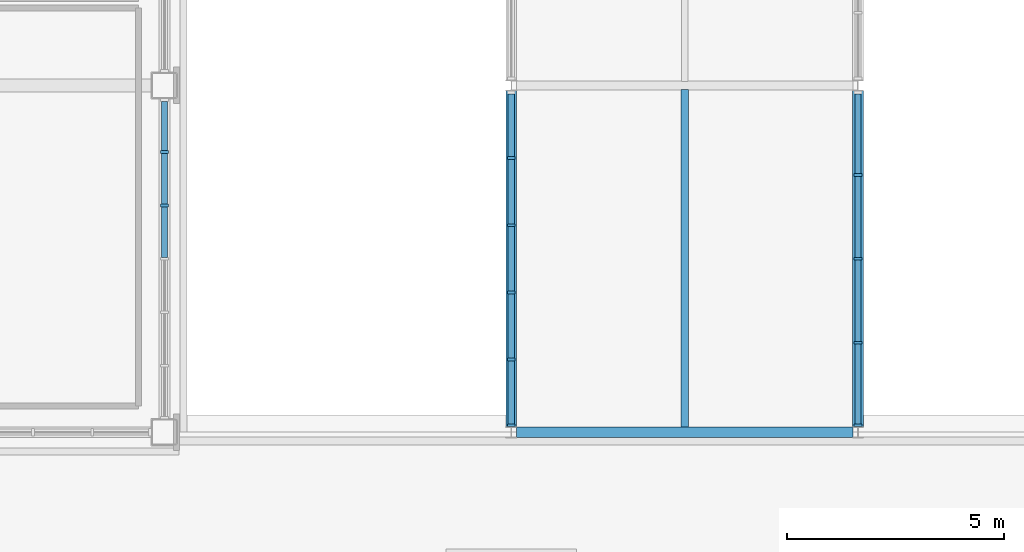
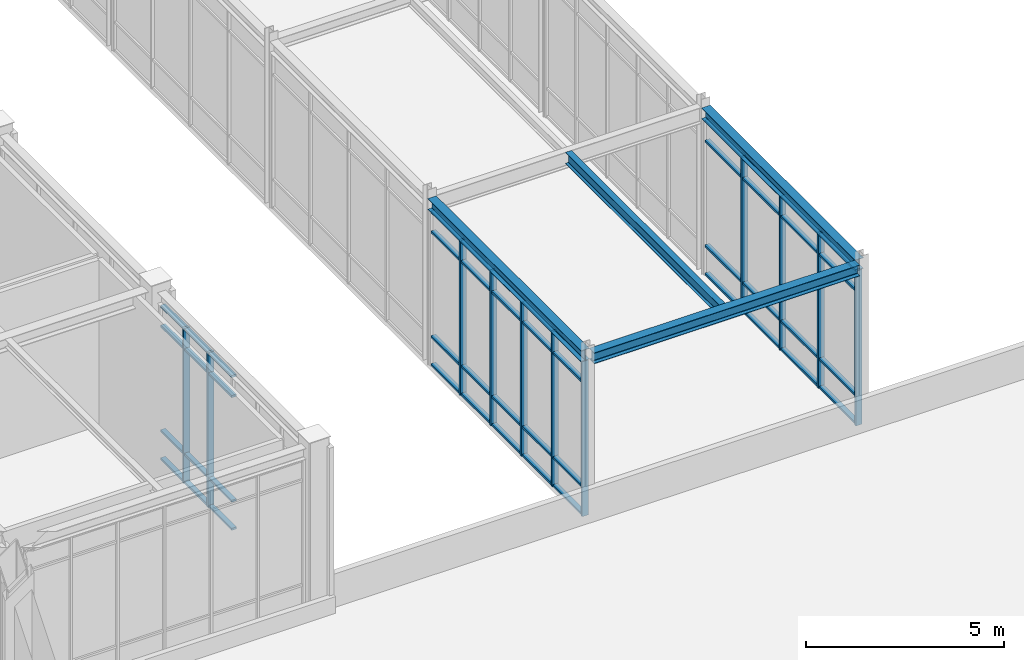
# One storey, part 25 of 108: 59 members, 4 beams, 3 elements without a shape of their own.
"""IFC4 building model written with IfcOpenShell, lengths in metres."""

from ifc_helpers import new_model, si_unit, direction, frame, origin, origin_2d, place, context, subcontext, project, spatial, rectangle, i_section, extrude, material, material_profile, profile_set, type_object, element, aggregate, save


model = new_model("IFC4")

# Units and contexts
model_context = context("Model", 3, precision=1e-05, world=origin(), true_north=direction((0.0, 1.0)))
body_context = subcontext(model_context, "Body", "Model", "MODEL_VIEW")
ifc_project = project(units=[si_unit("LENGTHUNIT", "METRE"), si_unit("AREAUNIT", "SQUARE_METRE"), si_unit("VOLUMEUNIT", "CUBIC_METRE"), si_unit("PLANEANGLEUNIT", "RADIAN"), si_unit("MASSUNIT", "GRAM", prefix="KILO")], contexts=[model_context])

# Site, building, storey
site_placement = place(None, origin())
site = spatial("IfcSite", under=ifc_project, at=site_placement, CompositionType="ELEMENT")
building_placement = place(site_placement, origin())
building = spatial("IfcBuilding", under=site, at=building_placement, Name="Zhaolan Boulevard Law Courts", CompositionType="ELEMENT")
storey_placement = place(building_placement, frame((0.0, 0.0, 10.800048828125)))
storey = spatial("IfcBuildingStorey", under=building, at=storey_placement, Name="L02", CompositionType="ELEMENT", Elevation=10.800048828125)

# Curtain wall, members
ifc_material_1 = material(Name="Thermally broken aluminium and low-E glazing", Category="aluminium")
curtain_wall_type_1 = type_object("IfcCurtainWallType", Name="CURTAIN WALL M20", PredefinedType="USERDEFINED", material=ifc_material_1)
curtain_wall_1_placement = place(storey_placement, origin())
curtain_wall_1 = element("IfcCurtainWall", 1, at=curtain_wall_1_placement, inside=storey, type_object=curtain_wall_type_1, Name="Curtain Wall CW-L02-092", ObjectType="CURTAIN WALL", PredefinedType="USERDEFINED")
ifc_material_2 = material(Name="Fluorocarbon-coated aluminium 6063-T6", Category="aluminium")
ifc_material_profile_1 = material_profile(ifc_material_2, rectangle(XDim=0.179931640625, YDim=0.06494140625, at=origin_2d()), Name="AL65x180")
ifc_profile_set_1 = profile_set([ifc_material_profile_1], Name="Fluorocarbon-coated aluminium 6063-T6")
member_type_1 = type_object("IfcMemberType", Name="CWMULLION 65X180", PredefinedType="MULLION", material=ifc_profile_set_1)
member_1_placement = place(storey_placement, frame((52.0, 36.32373046875, 0.0), z_axis=(0.0, 0.0, 1.0), x_axis=(1.0, 0.0, 0.0)))
member_1 = element("IfcMember", 2, at=member_1_placement, type_object=member_type_1, Name="CW-L02-092 mullion 2", PredefinedType="MULLION", context=body_context, shape_type="SweptSolid", body=[
    extrude(rectangle(XDim=0.179931640625, YDim=0.06494140625, at=origin_2d()), origin(), (0.0, 0.0, 1.0), 4.782958984375),
])
member_2_placement = place(storey_placement, frame((52.0, 34.774658203125, 0.0), z_axis=(0.0, 0.0, 1.0), x_axis=(1.0, 0.0, 0.0)))
member_2 = element("IfcMember", 3, at=member_2_placement, type_object=member_type_1, Name="CW-L02-092 mullion 3", PredefinedType="MULLION", context=body_context, shape_type="SweptSolid", body=[
    extrude(rectangle(XDim=0.179931640625, YDim=0.06494140625, at=origin_2d()), origin(), (0.0, 0.0, 1.0), 4.782958984375),
])
member_3_placement = place(storey_placement, frame((52.0, 33.225341796875, 0.0), z_axis=(0.0, 0.0, 1.0), x_axis=(1.0, 0.0, 0.0)))
member_3 = element("IfcMember", 4, at=member_3_placement, type_object=member_type_1, Name="CW-L02-092 mullion 4", PredefinedType="MULLION", context=body_context, shape_type="SweptSolid", body=[
    extrude(rectangle(XDim=0.179931640625, YDim=0.06494140625, at=origin_2d()), origin(), (0.0, 0.0, 1.0), 4.782958984375),
])
member_4_placement = place(storey_placement, frame((52.0, 31.67626953125, 0.0), z_axis=(0.0, 0.0, 1.0), x_axis=(1.0, 0.0, 0.0)))
member_4 = element("IfcMember", 5, at=member_4_placement, type_object=member_type_1, Name="CW-L02-092 mullion 5", PredefinedType="MULLION", context=body_context, shape_type="SweptSolid", body=[
    extrude(rectangle(XDim=0.179931640625, YDim=0.06494140625, at=origin_2d()), origin(), (0.0, 0.0, 1.0), 4.782958984375),
])
member_5_placement = place(storey_placement, frame((52.0, 30.159423828125, 0.0), z_axis=(0.0, 0.0, 1.0), x_axis=(1.0, 0.0, 0.0)))
member_5 = element("IfcMember", 6, at=member_5_placement, type_object=member_type_1, Name="CW-L02-092 mullion 6", PredefinedType="MULLION", context=body_context, shape_type="SweptSolid", body=[
    extrude(rectangle(XDim=0.179931640625, YDim=0.06494140625, at=origin_2d()), origin(), (0.0, 0.0, 1.0), 4.782958984375),
])

ifc_material_3 = material(Name="Thermally broken aluminium and low-E glazing", Category="aluminium")
curtain_wall_type_2 = type_object("IfcCurtainWallType", Name="CURTAIN WALL M24", PredefinedType="USERDEFINED", material=ifc_material_3)
curtain_wall_2_placement = place(storey_placement, origin())
curtain_wall_2 = element("IfcCurtainWall", 7, at=curtain_wall_2_placement, inside=storey, type_object=curtain_wall_type_2, Name="Curtain Wall CW-L02-096", ObjectType="CURTAIN WALL", PredefinedType="USERDEFINED")
member_6_placement = place(storey_placement, frame((60.0, 30.159423828125, 0.0), z_axis=(0.0, 0.0, 1.0), x_axis=(-1.0, 0.0, 0.0)))
member_6 = element("IfcMember", 8, at=member_6_placement, type_object=member_type_1, Name="CW-L02-096 mullion 1", PredefinedType="MULLION", context=body_context, shape_type="SweptSolid", body=[
    extrude(rectangle(XDim=0.179931640625, YDim=0.06494140625, at=origin_2d()), origin(), (0.0, 0.0, 1.0), 4.782958984375),
])
member_7_placement = place(storey_placement, frame((60.0, 32.0634765625, 0.0), z_axis=(0.0, 0.0, 1.0), x_axis=(-1.0, 0.0, 0.0)))
member_7 = element("IfcMember", 9, at=member_7_placement, type_object=member_type_1, Name="CW-L02-096 mullion 2", PredefinedType="MULLION", context=body_context, shape_type="SweptSolid", body=[
    extrude(rectangle(XDim=0.179931640625, YDim=0.06494140625, at=origin_2d()), origin(), (0.0, 0.0, 1.0), 4.782958984375),
])
member_8_placement = place(storey_placement, frame((60.0, 34.0, 0.0), z_axis=(0.0, 0.0, 1.0), x_axis=(-1.0, 0.0, 0.0)))
member_8 = element("IfcMember", 10, at=member_8_placement, type_object=member_type_1, Name="CW-L02-096 mullion 3", PredefinedType="MULLION", context=body_context, shape_type="SweptSolid", body=[
    extrude(rectangle(XDim=0.179931640625, YDim=0.06494140625, at=origin_2d()), origin(), (0.0, 0.0, 1.0), 4.782958984375),
])
member_9_placement = place(storey_placement, frame((60.0, 35.9365234375, 0.0), z_axis=(0.0, 0.0, 1.0), x_axis=(-1.0, 0.0, 0.0)))
member_9 = element("IfcMember", 11, at=member_9_placement, type_object=member_type_1, Name="CW-L02-096 mullion 4", PredefinedType="MULLION", context=body_context, shape_type="SweptSolid", body=[
    extrude(rectangle(XDim=0.179931640625, YDim=0.06494140625, at=origin_2d()), origin(), (0.0, 0.0, 1.0), 4.782958984375),
])

ifc_material_4 = material(Name="Thermally broken aluminium and low-E glazing", Category="aluminium")
curtain_wall_type_3 = type_object("IfcCurtainWallType", Name="CURTAIN WALL M18", PredefinedType="USERDEFINED", material=ifc_material_4)
curtain_wall_3_placement = place(storey_placement, origin())
curtain_wall_3 = element("IfcCurtainWall", 12, at=curtain_wall_3_placement, inside=storey, type_object=curtain_wall_type_3, Name="Curtain Wall CW-L02-162", ObjectType="CURTAIN WALL", PredefinedType="USERDEFINED")
member_10_placement = place(storey_placement, frame((44.0, 35.232666015625, 0.0), z_axis=(0.0, 0.0, 1.0), x_axis=(-1.0, 0.0, 0.0)))
member_10 = element("IfcMember", 13, at=member_10_placement, type_object=member_type_1, Name="CW-L02-162 mullion 5", PredefinedType="MULLION", context=body_context, shape_type="SweptSolid", body=[
    extrude(rectangle(XDim=0.179931640625, YDim=0.06494140625, at=origin_2d()), origin(), (0.0, 0.0, 1.0), 4.782958984375),
])
member_11_placement = place(storey_placement, frame((44.0, 36.46533203125, 0.0), z_axis=(0.0, 0.0, 1.0), x_axis=(-1.0, 0.0, 0.0)))
member_11 = element("IfcMember", 14, at=member_11_placement, type_object=member_type_1, Name="CW-L02-162 mullion 6", PredefinedType="MULLION", context=body_context, shape_type="SweptSolid", body=[
    extrude(rectangle(XDim=0.179931640625, YDim=0.06494140625, at=origin_2d()), origin(), (0.0, 0.0, 1.0), 4.782958984375),
])

# Member
ifc_material_5 = material(Name="Fluorocarbon-coated aluminium 6063-T6", Category="aluminium")
ifc_material_profile_2 = material_profile(ifc_material_5, rectangle(XDim=0.139892578125, YDim=0.06494140625, at=origin_2d()), Name="AL65x140")
ifc_profile_set_2 = profile_set([ifc_material_profile_2], Name="Fluorocarbon-coated aluminium 6063-T6")
member_type_2 = type_object("IfcMemberType", Name="CWTRANSOM 65X140", PredefinedType="USERDEFINED", material=ifc_profile_set_2)
member_12_placement = place(storey_placement, frame((52.0, 37.80810546875, 0.032470703125), z_axis=(0.0, -1.0, 0.0), x_axis=(1.0, 0.0, 0.0)))
member_12 = element("IfcMember", 15, at=member_12_placement, type_object=member_type_2, Name="CW-L02-092 transom 1.1", ObjectType="TRANSOM", PredefinedType="USERDEFINED", context=body_context, shape_type="SweptSolid", body=[
    extrude(rectangle(XDim=0.139892578125, YDim=0.06494140625, at=origin_2d()), origin(), (0.0, 0.0, 1.0), 1.451904296875),
])

member_13_placement = place(storey_placement, frame((52.0, 37.80810546875, 0.89990234375), z_axis=(0.0, -1.0, 0.0), x_axis=(1.0, 0.0, 0.0)))
member_13 = element("IfcMember", 16, at=member_13_placement, type_object=member_type_2, Name="CW-L02-092 transom 1.2", ObjectType="TRANSOM", PredefinedType="USERDEFINED", context=body_context, shape_type="SweptSolid", body=[
    extrude(rectangle(XDim=0.139892578125, YDim=0.06494140625, at=origin_2d()), origin(), (0.0, 0.0, 1.0), 1.451904296875),
])

member_14_placement = place(storey_placement, frame((52.0, 37.80810546875, 4.133056640625), z_axis=(0.0, -1.0, 0.0), x_axis=(1.0, 0.0, 0.0)))
member_14 = element("IfcMember", 17, at=member_14_placement, type_object=member_type_2, Name="CW-L02-092 transom 1.3", ObjectType="TRANSOM", PredefinedType="USERDEFINED", context=body_context, shape_type="SweptSolid", body=[
    extrude(rectangle(XDim=0.139892578125, YDim=0.06494140625, at=origin_2d()), origin(), (0.0, 0.0, 1.0), 1.451904296875),
])

member_15_placement = place(storey_placement, frame((52.0, 37.80810546875, 4.75048828125), z_axis=(0.0, -1.0, 0.0), x_axis=(1.0, 0.0, 0.0)))
member_15 = element("IfcMember", 18, at=member_15_placement, type_object=member_type_2, Name="CW-L02-092 transom 1.4", ObjectType="TRANSOM", PredefinedType="USERDEFINED", context=body_context, shape_type="SweptSolid", body=[
    extrude(rectangle(XDim=0.139892578125, YDim=0.06494140625, at=origin_2d()), origin(), (0.0, 0.0, 1.0), 1.451904296875),
])

member_16_placement = place(storey_placement, frame((52.0, 36.291259765625, 0.032470703125), z_axis=(0.0, -1.0, 0.0), x_axis=(1.0, 0.0, 0.0)))
member_16 = element("IfcMember", 19, at=member_16_placement, type_object=member_type_2, Name="CW-L02-092 transom 2.1", ObjectType="TRANSOM", PredefinedType="USERDEFINED", context=body_context, shape_type="SweptSolid", body=[
    extrude(rectangle(XDim=0.139892578125, YDim=0.06494140625, at=origin_2d()), origin(), (0.0, 0.0, 1.0), 1.484130859375),
])

member_17_placement = place(storey_placement, frame((52.0, 36.291259765625, 0.89990234375), z_axis=(0.0, -1.0, 0.0), x_axis=(1.0, 0.0, 0.0)))
member_17 = element("IfcMember", 20, at=member_17_placement, type_object=member_type_2, Name="CW-L02-092 transom 2.2", ObjectType="TRANSOM", PredefinedType="USERDEFINED", context=body_context, shape_type="SweptSolid", body=[
    extrude(rectangle(XDim=0.139892578125, YDim=0.06494140625, at=origin_2d()), origin(), (0.0, 0.0, 1.0), 1.484130859375),
])

member_18_placement = place(storey_placement, frame((52.0, 36.291259765625, 4.133056640625), z_axis=(0.0, -1.0, 0.0), x_axis=(1.0, 0.0, 0.0)))
member_18 = element("IfcMember", 21, at=member_18_placement, type_object=member_type_2, Name="CW-L02-092 transom 2.3", ObjectType="TRANSOM", PredefinedType="USERDEFINED", context=body_context, shape_type="SweptSolid", body=[
    extrude(rectangle(XDim=0.139892578125, YDim=0.06494140625, at=origin_2d()), origin(), (0.0, 0.0, 1.0), 1.484130859375),
])

member_19_placement = place(storey_placement, frame((52.0, 36.291259765625, 4.75048828125), z_axis=(0.0, -1.0, 0.0), x_axis=(1.0, 0.0, 0.0)))
member_19 = element("IfcMember", 22, at=member_19_placement, type_object=member_type_2, Name="CW-L02-092 transom 2.4", ObjectType="TRANSOM", PredefinedType="USERDEFINED", context=body_context, shape_type="SweptSolid", body=[
    extrude(rectangle(XDim=0.139892578125, YDim=0.06494140625, at=origin_2d()), origin(), (0.0, 0.0, 1.0), 1.484130859375),
])

member_20_placement = place(storey_placement, frame((52.0, 34.7421875, 0.032470703125), z_axis=(0.0, -1.0, 0.0), x_axis=(1.0, 0.0, 0.0)))
member_20 = element("IfcMember", 23, at=member_20_placement, type_object=member_type_2, Name="CW-L02-092 transom 3.1", ObjectType="TRANSOM", PredefinedType="USERDEFINED", context=body_context, shape_type="SweptSolid", body=[
    extrude(rectangle(XDim=0.139892578125, YDim=0.06494140625, at=origin_2d()), origin(), (0.0, 0.0, 1.0), 1.484375),
])

member_21_placement = place(storey_placement, frame((52.0, 34.7421875, 0.89990234375), z_axis=(0.0, -1.0, 0.0), x_axis=(1.0, 0.0, 0.0)))
member_21 = element("IfcMember", 24, at=member_21_placement, type_object=member_type_2, Name="CW-L02-092 transom 3.2", ObjectType="TRANSOM", PredefinedType="USERDEFINED", context=body_context, shape_type="SweptSolid", body=[
    extrude(rectangle(XDim=0.139892578125, YDim=0.06494140625, at=origin_2d()), origin(), (0.0, 0.0, 1.0), 1.484375),
])

member_22_placement = place(storey_placement, frame((52.0, 34.7421875, 4.133056640625), z_axis=(0.0, -1.0, 0.0), x_axis=(1.0, 0.0, 0.0)))
member_22 = element("IfcMember", 25, at=member_22_placement, type_object=member_type_2, Name="CW-L02-092 transom 3.3", ObjectType="TRANSOM", PredefinedType="USERDEFINED", context=body_context, shape_type="SweptSolid", body=[
    extrude(rectangle(XDim=0.139892578125, YDim=0.06494140625, at=origin_2d()), origin(), (0.0, 0.0, 1.0), 1.484375),
])

member_23_placement = place(storey_placement, frame((52.0, 34.7421875, 4.75048828125), z_axis=(0.0, -1.0, 0.0), x_axis=(1.0, 0.0, 0.0)))
member_23 = element("IfcMember", 26, at=member_23_placement, type_object=member_type_2, Name="CW-L02-092 transom 3.4", ObjectType="TRANSOM", PredefinedType="USERDEFINED", context=body_context, shape_type="SweptSolid", body=[
    extrude(rectangle(XDim=0.139892578125, YDim=0.06494140625, at=origin_2d()), origin(), (0.0, 0.0, 1.0), 1.484375),
])

member_24_placement = place(storey_placement, frame((52.0, 33.19287109375, 0.032470703125), z_axis=(0.0, -1.0, 0.0), x_axis=(1.0, 0.0, 0.0)))
member_24 = element("IfcMember", 27, at=member_24_placement, type_object=member_type_2, Name="CW-L02-092 transom 4.1", ObjectType="TRANSOM", PredefinedType="USERDEFINED", context=body_context, shape_type="SweptSolid", body=[
    extrude(rectangle(XDim=0.139892578125, YDim=0.06494140625, at=origin_2d()), origin(), (0.0, 0.0, 1.0), 1.484130859375),
])

member_25_placement = place(storey_placement, frame((52.0, 33.19287109375, 0.89990234375), z_axis=(0.0, -1.0, 0.0), x_axis=(1.0, 0.0, 0.0)))
member_25 = element("IfcMember", 28, at=member_25_placement, type_object=member_type_2, Name="CW-L02-092 transom 4.2", ObjectType="TRANSOM", PredefinedType="USERDEFINED", context=body_context, shape_type="SweptSolid", body=[
    extrude(rectangle(XDim=0.139892578125, YDim=0.06494140625, at=origin_2d()), origin(), (0.0, 0.0, 1.0), 1.484130859375),
])

member_26_placement = place(storey_placement, frame((52.0, 33.19287109375, 4.133056640625), z_axis=(0.0, -1.0, 0.0), x_axis=(1.0, 0.0, 0.0)))
member_26 = element("IfcMember", 29, at=member_26_placement, type_object=member_type_2, Name="CW-L02-092 transom 4.3", ObjectType="TRANSOM", PredefinedType="USERDEFINED", context=body_context, shape_type="SweptSolid", body=[
    extrude(rectangle(XDim=0.139892578125, YDim=0.06494140625, at=origin_2d()), origin(), (0.0, 0.0, 1.0), 1.484130859375),
])

member_27_placement = place(storey_placement, frame((52.0, 33.19287109375, 4.75048828125), z_axis=(0.0, -1.0, 0.0), x_axis=(1.0, 0.0, 0.0)))
member_27 = element("IfcMember", 30, at=member_27_placement, type_object=member_type_2, Name="CW-L02-092 transom 4.4", ObjectType="TRANSOM", PredefinedType="USERDEFINED", context=body_context, shape_type="SweptSolid", body=[
    extrude(rectangle(XDim=0.139892578125, YDim=0.06494140625, at=origin_2d()), origin(), (0.0, 0.0, 1.0), 1.484130859375),
])

member_28_placement = place(storey_placement, frame((52.0, 31.643798828125, 0.032470703125), z_axis=(0.0, -1.0, 0.0), x_axis=(1.0, 0.0, 0.0)))
member_28 = element("IfcMember", 31, at=member_28_placement, type_object=member_type_2, Name="CW-L02-092 transom 5.1", ObjectType="TRANSOM", PredefinedType="USERDEFINED", context=body_context, shape_type="SweptSolid", body=[
    extrude(rectangle(XDim=0.139892578125, YDim=0.06494140625, at=origin_2d()), origin(), (0.0, 0.0, 1.0), 1.451904296875),
])

member_29_placement = place(storey_placement, frame((52.0, 31.643798828125, 0.89990234375), z_axis=(0.0, -1.0, 0.0), x_axis=(1.0, 0.0, 0.0)))
member_29 = element("IfcMember", 32, at=member_29_placement, type_object=member_type_2, Name="CW-L02-092 transom 5.2", ObjectType="TRANSOM", PredefinedType="USERDEFINED", context=body_context, shape_type="SweptSolid", body=[
    extrude(rectangle(XDim=0.139892578125, YDim=0.06494140625, at=origin_2d()), origin(), (0.0, 0.0, 1.0), 1.451904296875),
])

member_30_placement = place(storey_placement, frame((52.0, 31.643798828125, 4.133056640625), z_axis=(0.0, -1.0, 0.0), x_axis=(1.0, 0.0, 0.0)))
member_30 = element("IfcMember", 33, at=member_30_placement, type_object=member_type_2, Name="CW-L02-092 transom 5.3", ObjectType="TRANSOM", PredefinedType="USERDEFINED", context=body_context, shape_type="SweptSolid", body=[
    extrude(rectangle(XDim=0.139892578125, YDim=0.06494140625, at=origin_2d()), origin(), (0.0, 0.0, 1.0), 1.451904296875),
])

member_31_placement = place(storey_placement, frame((52.0, 31.643798828125, 4.75048828125), z_axis=(0.0, -1.0, 0.0), x_axis=(1.0, 0.0, 0.0)))
member_31 = element("IfcMember", 34, at=member_31_placement, type_object=member_type_2, Name="CW-L02-092 transom 5.4", ObjectType="TRANSOM", PredefinedType="USERDEFINED", context=body_context, shape_type="SweptSolid", body=[
    extrude(rectangle(XDim=0.139892578125, YDim=0.06494140625, at=origin_2d()), origin(), (0.0, 0.0, 1.0), 1.451904296875),
])

aggregate(curtain_wall_1, [member_1, member_2, member_3, member_4, member_5, member_12, member_13, member_14, member_15, member_16, member_17, member_18, member_19, member_20, member_21, member_22, member_23, member_24, member_25, member_26, member_27, member_28, member_29, member_30, member_31])

member_32_placement = place(storey_placement, frame((60.0, 30.19189453125, 0.032470703125), z_axis=(0.0, 1.0, 0.0), x_axis=(-1.0, 0.0, 0.0)))
member_32 = element("IfcMember", 35, at=member_32_placement, type_object=member_type_2, Name="CW-L02-096 transom 1.1", ObjectType="TRANSOM", PredefinedType="USERDEFINED", context=body_context, shape_type="SweptSolid", body=[
    extrude(rectangle(XDim=0.139892578125, YDim=0.06494140625, at=origin_2d()), origin(), (0.0, 0.0, 1.0), 1.839111328125),
])

member_33_placement = place(storey_placement, frame((60.0, 30.19189453125, 0.89990234375), z_axis=(0.0, 1.0, 0.0), x_axis=(-1.0, 0.0, 0.0)))
member_33 = element("IfcMember", 36, at=member_33_placement, type_object=member_type_2, Name="CW-L02-096 transom 1.2", ObjectType="TRANSOM", PredefinedType="USERDEFINED", context=body_context, shape_type="SweptSolid", body=[
    extrude(rectangle(XDim=0.139892578125, YDim=0.06494140625, at=origin_2d()), origin(), (0.0, 0.0, 1.0), 1.839111328125),
])

member_34_placement = place(storey_placement, frame((60.0, 30.19189453125, 4.133056640625), z_axis=(0.0, 1.0, 0.0), x_axis=(-1.0, 0.0, 0.0)))
member_34 = element("IfcMember", 37, at=member_34_placement, type_object=member_type_2, Name="CW-L02-096 transom 1.3", ObjectType="TRANSOM", PredefinedType="USERDEFINED", context=body_context, shape_type="SweptSolid", body=[
    extrude(rectangle(XDim=0.139892578125, YDim=0.06494140625, at=origin_2d()), origin(), (0.0, 0.0, 1.0), 1.839111328125),
])

member_35_placement = place(storey_placement, frame((60.0, 30.19189453125, 4.75048828125), z_axis=(0.0, 1.0, 0.0), x_axis=(-1.0, 0.0, 0.0)))
member_35 = element("IfcMember", 38, at=member_35_placement, type_object=member_type_2, Name="CW-L02-096 transom 1.4", ObjectType="TRANSOM", PredefinedType="USERDEFINED", context=body_context, shape_type="SweptSolid", body=[
    extrude(rectangle(XDim=0.139892578125, YDim=0.06494140625, at=origin_2d()), origin(), (0.0, 0.0, 1.0), 1.839111328125),
])

member_36_placement = place(storey_placement, frame((60.0, 32.095947265625, 0.032470703125), z_axis=(0.0, 1.0, 0.0), x_axis=(-1.0, 0.0, 0.0)))
member_36 = element("IfcMember", 39, at=member_36_placement, type_object=member_type_2, Name="CW-L02-096 transom 2.1", ObjectType="TRANSOM", PredefinedType="USERDEFINED", context=body_context, shape_type="SweptSolid", body=[
    extrude(rectangle(XDim=0.139892578125, YDim=0.06494140625, at=origin_2d()), origin(), (0.0, 0.0, 1.0), 1.87158203125),
])

member_37_placement = place(storey_placement, frame((60.0, 32.095947265625, 0.89990234375), z_axis=(0.0, 1.0, 0.0), x_axis=(-1.0, 0.0, 0.0)))
member_37 = element("IfcMember", 40, at=member_37_placement, type_object=member_type_2, Name="CW-L02-096 transom 2.2", ObjectType="TRANSOM", PredefinedType="USERDEFINED", context=body_context, shape_type="SweptSolid", body=[
    extrude(rectangle(XDim=0.139892578125, YDim=0.06494140625, at=origin_2d()), origin(), (0.0, 0.0, 1.0), 1.87158203125),
])

member_38_placement = place(storey_placement, frame((60.0, 32.095947265625, 4.133056640625), z_axis=(0.0, 1.0, 0.0), x_axis=(-1.0, 0.0, 0.0)))
member_38 = element("IfcMember", 41, at=member_38_placement, type_object=member_type_2, Name="CW-L02-096 transom 2.3", ObjectType="TRANSOM", PredefinedType="USERDEFINED", context=body_context, shape_type="SweptSolid", body=[
    extrude(rectangle(XDim=0.139892578125, YDim=0.06494140625, at=origin_2d()), origin(), (0.0, 0.0, 1.0), 1.87158203125),
])

member_39_placement = place(storey_placement, frame((60.0, 32.095947265625, 4.75048828125), z_axis=(0.0, 1.0, 0.0), x_axis=(-1.0, 0.0, 0.0)))
member_39 = element("IfcMember", 42, at=member_39_placement, type_object=member_type_2, Name="CW-L02-096 transom 2.4", ObjectType="TRANSOM", PredefinedType="USERDEFINED", context=body_context, shape_type="SweptSolid", body=[
    extrude(rectangle(XDim=0.139892578125, YDim=0.06494140625, at=origin_2d()), origin(), (0.0, 0.0, 1.0), 1.87158203125),
])

member_40_placement = place(storey_placement, frame((60.0, 34.032470703125, 0.032470703125), z_axis=(0.0, 1.0, 0.0), x_axis=(-1.0, 0.0, 0.0)))
member_40 = element("IfcMember", 43, at=member_40_placement, type_object=member_type_2, Name="CW-L02-096 transom 3.1", ObjectType="TRANSOM", PredefinedType="USERDEFINED", context=body_context, shape_type="SweptSolid", body=[
    extrude(rectangle(XDim=0.139892578125, YDim=0.06494140625, at=origin_2d()), origin(), (0.0, 0.0, 1.0), 1.87158203125),
])

member_41_placement = place(storey_placement, frame((60.0, 34.032470703125, 0.89990234375), z_axis=(0.0, 1.0, 0.0), x_axis=(-1.0, 0.0, 0.0)))
member_41 = element("IfcMember", 44, at=member_41_placement, type_object=member_type_2, Name="CW-L02-096 transom 3.2", ObjectType="TRANSOM", PredefinedType="USERDEFINED", context=body_context, shape_type="SweptSolid", body=[
    extrude(rectangle(XDim=0.139892578125, YDim=0.06494140625, at=origin_2d()), origin(), (0.0, 0.0, 1.0), 1.87158203125),
])

member_42_placement = place(storey_placement, frame((60.0, 34.032470703125, 4.133056640625), z_axis=(0.0, 1.0, 0.0), x_axis=(-1.0, 0.0, 0.0)))
member_42 = element("IfcMember", 45, at=member_42_placement, type_object=member_type_2, Name="CW-L02-096 transom 3.3", ObjectType="TRANSOM", PredefinedType="USERDEFINED", context=body_context, shape_type="SweptSolid", body=[
    extrude(rectangle(XDim=0.139892578125, YDim=0.06494140625, at=origin_2d()), origin(), (0.0, 0.0, 1.0), 1.87158203125),
])

member_43_placement = place(storey_placement, frame((60.0, 34.032470703125, 4.75048828125), z_axis=(0.0, 1.0, 0.0), x_axis=(-1.0, 0.0, 0.0)))
member_43 = element("IfcMember", 46, at=member_43_placement, type_object=member_type_2, Name="CW-L02-096 transom 3.4", ObjectType="TRANSOM", PredefinedType="USERDEFINED", context=body_context, shape_type="SweptSolid", body=[
    extrude(rectangle(XDim=0.139892578125, YDim=0.06494140625, at=origin_2d()), origin(), (0.0, 0.0, 1.0), 1.87158203125),
])

member_44_placement = place(storey_placement, frame((60.0, 35.968994140625, 0.032470703125), z_axis=(0.0, 1.0, 0.0), x_axis=(-1.0, 0.0, 0.0)))
member_44 = element("IfcMember", 47, at=member_44_placement, type_object=member_type_2, Name="CW-L02-096 transom 4.1", ObjectType="TRANSOM", PredefinedType="USERDEFINED", context=body_context, shape_type="SweptSolid", body=[
    extrude(rectangle(XDim=0.139892578125, YDim=0.06494140625, at=origin_2d()), origin(), (0.0, 0.0, 1.0), 1.839111328125),
])

member_45_placement = place(storey_placement, frame((60.0, 35.968994140625, 0.89990234375), z_axis=(0.0, 1.0, 0.0), x_axis=(-1.0, 0.0, 0.0)))
member_45 = element("IfcMember", 48, at=member_45_placement, type_object=member_type_2, Name="CW-L02-096 transom 4.2", ObjectType="TRANSOM", PredefinedType="USERDEFINED", context=body_context, shape_type="SweptSolid", body=[
    extrude(rectangle(XDim=0.139892578125, YDim=0.06494140625, at=origin_2d()), origin(), (0.0, 0.0, 1.0), 1.839111328125),
])

member_46_placement = place(storey_placement, frame((60.0, 35.968994140625, 4.133056640625), z_axis=(0.0, 1.0, 0.0), x_axis=(-1.0, 0.0, 0.0)))
member_46 = element("IfcMember", 49, at=member_46_placement, type_object=member_type_2, Name="CW-L02-096 transom 4.3", ObjectType="TRANSOM", PredefinedType="USERDEFINED", context=body_context, shape_type="SweptSolid", body=[
    extrude(rectangle(XDim=0.139892578125, YDim=0.06494140625, at=origin_2d()), origin(), (0.0, 0.0, 1.0), 1.839111328125),
])

member_47_placement = place(storey_placement, frame((60.0, 35.968994140625, 4.75048828125), z_axis=(0.0, 1.0, 0.0), x_axis=(-1.0, 0.0, 0.0)))
member_47 = element("IfcMember", 50, at=member_47_placement, type_object=member_type_2, Name="CW-L02-096 transom 4.4", ObjectType="TRANSOM", PredefinedType="USERDEFINED", context=body_context, shape_type="SweptSolid", body=[
    extrude(rectangle(XDim=0.139892578125, YDim=0.06494140625, at=origin_2d()), origin(), (0.0, 0.0, 1.0), 1.839111328125),
])

aggregate(curtain_wall_2, [member_6, member_7, member_8, member_9, member_32, member_33, member_34, member_35, member_36, member_37, member_38, member_39, member_40, member_41, member_42, member_43, member_44, member_45, member_46, member_47])

member_48_placement = place(storey_placement, frame((44.0, 34.032470703125, 0.032470703125), z_axis=(0.0, 1.0, 0.0), x_axis=(-1.0, 0.0, 0.0)))
member_48 = element("IfcMember", 51, at=member_48_placement, type_object=member_type_2, Name="CW-L02-162 transom 4.1", ObjectType="TRANSOM", PredefinedType="USERDEFINED", context=body_context, shape_type="SweptSolid", body=[
    extrude(rectangle(XDim=0.139892578125, YDim=0.06494140625, at=origin_2d()), origin(), (0.0, 0.0, 1.0), 1.167724609375),
])

member_49_placement = place(storey_placement, frame((44.0, 34.032470703125, 0.89990234375), z_axis=(0.0, 1.0, 0.0), x_axis=(-1.0, 0.0, 0.0)))
member_49 = element("IfcMember", 52, at=member_49_placement, type_object=member_type_2, Name="CW-L02-162 transom 4.2", ObjectType="TRANSOM", PredefinedType="USERDEFINED", context=body_context, shape_type="SweptSolid", body=[
    extrude(rectangle(XDim=0.139892578125, YDim=0.06494140625, at=origin_2d()), origin(), (0.0, 0.0, 1.0), 1.167724609375),
])

member_50_placement = place(storey_placement, frame((44.0, 34.032470703125, 4.133056640625), z_axis=(0.0, 1.0, 0.0), x_axis=(-1.0, 0.0, 0.0)))
member_50 = element("IfcMember", 53, at=member_50_placement, type_object=member_type_2, Name="CW-L02-162 transom 4.3", ObjectType="TRANSOM", PredefinedType="USERDEFINED", context=body_context, shape_type="SweptSolid", body=[
    extrude(rectangle(XDim=0.139892578125, YDim=0.06494140625, at=origin_2d()), origin(), (0.0, 0.0, 1.0), 1.167724609375),
])

member_51_placement = place(storey_placement, frame((44.0, 34.032470703125, 4.75048828125), z_axis=(0.0, 1.0, 0.0), x_axis=(-1.0, 0.0, 0.0)))
member_51 = element("IfcMember", 54, at=member_51_placement, type_object=member_type_2, Name="CW-L02-162 transom 4.4", ObjectType="TRANSOM", PredefinedType="USERDEFINED", context=body_context, shape_type="SweptSolid", body=[
    extrude(rectangle(XDim=0.139892578125, YDim=0.06494140625, at=origin_2d()), origin(), (0.0, 0.0, 1.0), 1.167724609375),
])

member_52_placement = place(storey_placement, frame((44.0, 35.26513671875, 0.032470703125), z_axis=(0.0, 1.0, 0.0), x_axis=(-1.0, 0.0, 0.0)))
member_52 = element("IfcMember", 55, at=member_52_placement, type_object=member_type_2, Name="CW-L02-162 transom 5.1", ObjectType="TRANSOM", PredefinedType="USERDEFINED", context=body_context, shape_type="SweptSolid", body=[
    extrude(rectangle(XDim=0.139892578125, YDim=0.06494140625, at=origin_2d()), origin(), (0.0, 0.0, 1.0), 1.167724609375),
])

member_53_placement = place(storey_placement, frame((44.0, 35.26513671875, 0.89990234375), z_axis=(0.0, 1.0, 0.0), x_axis=(-1.0, 0.0, 0.0)))
member_53 = element("IfcMember", 56, at=member_53_placement, type_object=member_type_2, Name="CW-L02-162 transom 5.2", ObjectType="TRANSOM", PredefinedType="USERDEFINED", context=body_context, shape_type="SweptSolid", body=[
    extrude(rectangle(XDim=0.139892578125, YDim=0.06494140625, at=origin_2d()), origin(), (0.0, 0.0, 1.0), 1.167724609375),
])

member_54_placement = place(storey_placement, frame((44.0, 35.26513671875, 4.133056640625), z_axis=(0.0, 1.0, 0.0), x_axis=(-1.0, 0.0, 0.0)))
member_54 = element("IfcMember", 57, at=member_54_placement, type_object=member_type_2, Name="CW-L02-162 transom 5.3", ObjectType="TRANSOM", PredefinedType="USERDEFINED", context=body_context, shape_type="SweptSolid", body=[
    extrude(rectangle(XDim=0.139892578125, YDim=0.06494140625, at=origin_2d()), origin(), (0.0, 0.0, 1.0), 1.167724609375),
])

member_55_placement = place(storey_placement, frame((44.0, 35.26513671875, 4.75048828125), z_axis=(0.0, 1.0, 0.0), x_axis=(-1.0, 0.0, 0.0)))
member_55 = element("IfcMember", 58, at=member_55_placement, type_object=member_type_2, Name="CW-L02-162 transom 5.4", ObjectType="TRANSOM", PredefinedType="USERDEFINED", context=body_context, shape_type="SweptSolid", body=[
    extrude(rectangle(XDim=0.139892578125, YDim=0.06494140625, at=origin_2d()), origin(), (0.0, 0.0, 1.0), 1.167724609375),
])

member_56_placement = place(storey_placement, frame((44.0, 36.497802734375, 0.032470703125), z_axis=(0.0, 1.0, 0.0), x_axis=(-1.0, 0.0, 0.0)))
member_56 = element("IfcMember", 59, at=member_56_placement, type_object=member_type_2, Name="CW-L02-162 transom 6.1", ObjectType="TRANSOM", PredefinedType="USERDEFINED", context=body_context, shape_type="SweptSolid", body=[
    extrude(rectangle(XDim=0.139892578125, YDim=0.06494140625, at=origin_2d()), origin(), (0.0, 0.0, 1.0), 1.13525390625),
])

member_57_placement = place(storey_placement, frame((44.0, 36.497802734375, 0.89990234375), z_axis=(0.0, 1.0, 0.0), x_axis=(-1.0, 0.0, 0.0)))
member_57 = element("IfcMember", 60, at=member_57_placement, type_object=member_type_2, Name="CW-L02-162 transom 6.2", ObjectType="TRANSOM", PredefinedType="USERDEFINED", context=body_context, shape_type="SweptSolid", body=[
    extrude(rectangle(XDim=0.139892578125, YDim=0.06494140625, at=origin_2d()), origin(), (0.0, 0.0, 1.0), 1.13525390625),
])

member_58_placement = place(storey_placement, frame((44.0, 36.497802734375, 4.133056640625), z_axis=(0.0, 1.0, 0.0), x_axis=(-1.0, 0.0, 0.0)))
member_58 = element("IfcMember", 61, at=member_58_placement, type_object=member_type_2, Name="CW-L02-162 transom 6.3", ObjectType="TRANSOM", PredefinedType="USERDEFINED", context=body_context, shape_type="SweptSolid", body=[
    extrude(rectangle(XDim=0.139892578125, YDim=0.06494140625, at=origin_2d()), origin(), (0.0, 0.0, 1.0), 1.13525390625),
])

member_59_placement = place(storey_placement, frame((44.0, 36.497802734375, 4.75048828125), z_axis=(0.0, 1.0, 0.0), x_axis=(-1.0, 0.0, 0.0)))
member_59 = element("IfcMember", 62, at=member_59_placement, type_object=member_type_2, Name="CW-L02-162 transom 6.4", ObjectType="TRANSOM", PredefinedType="USERDEFINED", context=body_context, shape_type="SweptSolid", body=[
    extrude(rectangle(XDim=0.139892578125, YDim=0.06494140625, at=origin_2d()), origin(), (0.0, 0.0, 1.0), 1.13525390625),
])

aggregate(curtain_wall_3, [member_10, member_11, member_48, member_49, member_50, member_51, member_52, member_53, member_54, member_55, member_56, member_57, member_58, member_59])

# Beams
ifc_material_6 = material(Name="Structural steel Q355B", Category="steel")
ifc_material_profile_3 = material_profile(ifc_material_6, i_section(OverallWidth=0.25, OverallDepth=0.340087890625, WebThickness=0.009033203125, FlangeThickness=0.013916015625, FilletRadius=0.01611328125, at=origin_2d()), Name="HM340x250")
ifc_profile_set_3 = profile_set([ifc_material_profile_3], Name="Structural steel Q355B")
beam_type_1 = type_object("IfcBeamType", Name="GIRDER HM340", PredefinedType="BEAM", material=ifc_profile_set_3)
for number, where, z_axis, x_axis, name in (
    (63, (52.0, 30.12109375, 4.968017578125), (0.0, 1.0, 0.0), (-1.0, 0.0, 0.0), "Beam BY-L03-7-E-F"),
    (64, (60.0, 30.12109375, 4.968017578125), (0.0, 1.0, 0.0), (-1.0, 0.0, 0.0), "Beam BY-L03-8-E-F"),
):
    element("IfcBeam", number, at=place(storey_placement, frame(where, z_axis=z_axis, x_axis=x_axis)), inside=storey, type_object=beam_type_1, Name=name, PredefinedType="BEAM", context=body_context, shape_type="SweptSolid", body=[
        extrude(i_section(OverallWidth=0.25, OverallDepth=0.340087890625, WebThickness=0.009033203125, FlangeThickness=0.013916015625, FilletRadius=0.01611328125, at=origin_2d()), origin(), (0.0, 0.0, 1.0), 7.7578125),
    ])
ifc_material_7 = material(Name="Structural steel Q355B", Category="steel")
ifc_material_profile_4 = material_profile(ifc_material_7, i_section(OverallWidth=0.175048828125, OverallDepth=0.35009765625, WebThickness=0.007080078125, FlangeThickness=0.010986328125, FilletRadius=0.012939453125, at=origin_2d()), Name="HN350x175")
ifc_profile_set_4 = profile_set([ifc_material_profile_4], Name="Structural steel Q355B")
beam_type_2 = type_object("IfcBeamType", Name="JOIST HN350", PredefinedType="JOIST", material=ifc_profile_set_4)
beam_1_placement = place(storey_placement, frame((56.0, 30.12109375, 4.962890625), z_axis=(0.0, 1.0, 0.0), x_axis=(-1.0, 0.0, 0.0)))
element("IfcBeam", 65, at=beam_1_placement, inside=storey, type_object=beam_type_2, Name="Composite Joist J-L03-7E", PredefinedType="JOIST", context=body_context, shape_type="SweptSolid", body=[
    extrude(i_section(OverallWidth=0.175048828125, OverallDepth=0.35009765625, WebThickness=0.007080078125, FlangeThickness=0.010986328125, FilletRadius=0.012939453125, at=origin_2d()), origin(), (0.0, 0.0, 1.0), 7.782958984375),
])
ifc_material_8 = material(Name="Structural steel Q355B", Category="steel")
ifc_material_profile_5 = material_profile(ifc_material_8, i_section(OverallWidth=0.25, OverallDepth=0.340087890625, WebThickness=0.009033203125, FlangeThickness=0.013916015625, FilletRadius=0.01611328125, at=origin_2d()), Name="HM340x250")
ifc_profile_set_5 = profile_set([ifc_material_profile_5], Name="Structural steel Q355B")
beam_type_3 = type_object("IfcBeamType", Name="SPANDREL HM340", PredefinedType="SPANDREL", material=ifc_profile_set_5)
beam_2_placement = place(storey_placement, frame((52.12109375, 30.0, 4.968017578125), z_axis=(1.0, 0.0, 0.0), x_axis=(0.0, 1.0, 0.0)))
element("IfcBeam", 66, at=beam_2_placement, inside=storey, type_object=beam_type_3, Name="Beam BX-L03-7-8-E", PredefinedType="SPANDREL", context=body_context, shape_type="SweptSolid", body=[
    extrude(i_section(OverallWidth=0.25, OverallDepth=0.340087890625, WebThickness=0.009033203125, FlangeThickness=0.013916015625, FilletRadius=0.01611328125, at=origin_2d()), origin(), (0.0, 0.0, 1.0), 7.7578125),
])

save(model, "model.ifc")
